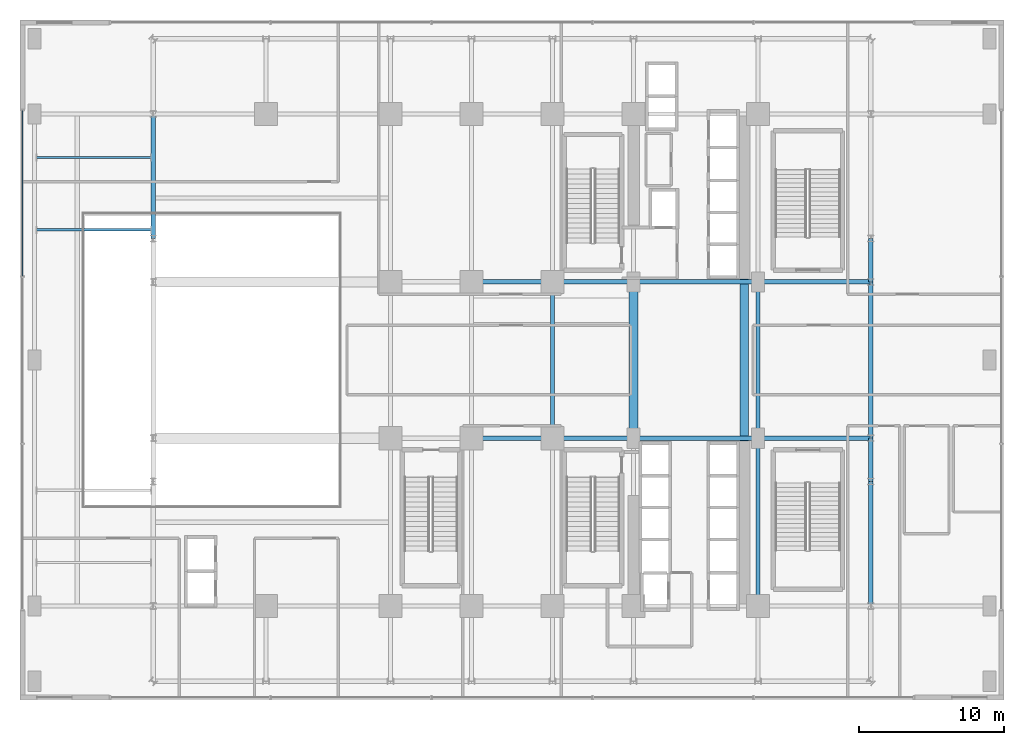
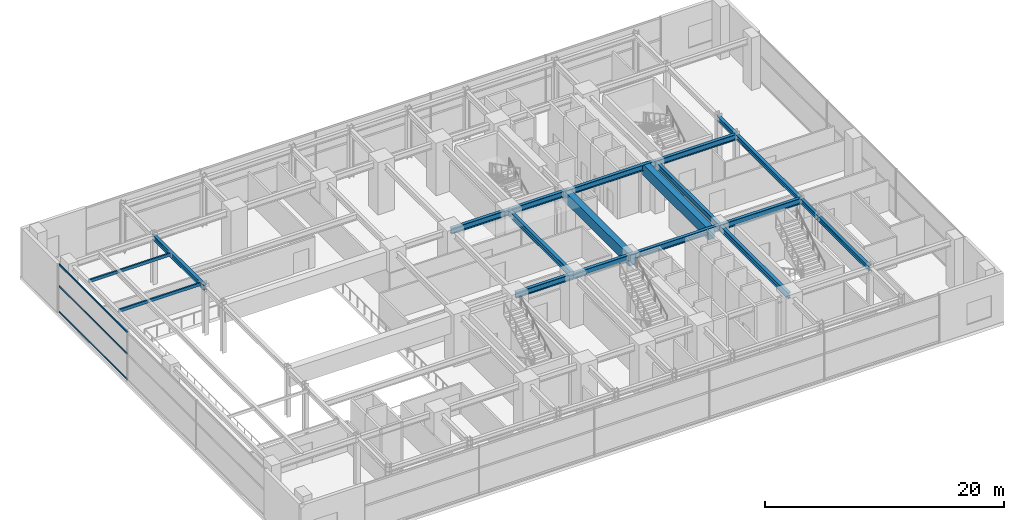
# One storey, part 15 of 35: 18 beams, 5 members, 1 element without a shape of its own.
"""IFC4 building model written with IfcOpenShell, lengths in metres."""

import ifcopenshell
import ifcopenshell.guid

model = None  # the IFC model being written
_history = None  # IfcOwnerHistory: only IFC2X3 demands one
_inside = {}  # id of a spatial element -> (the spatial element, [elements in it])
_under = {}  # id of a project, library or spatial element -> (it, [spatial elements below it])
_declared = {}  # id of a project -> (the project, [libraries it declares])
_typed = {}  # id of a type object -> (the type object, [elements of that type])
_made_of = {}  # id of a material, layer set ... -> (it, [elements and type objects made of it])


def new_model(schema):
    """Start an empty IFC model of exactly this schema.

    Asked for "IFC4X3", IfcOpenShell would pick the latest addendum, in which some entities
    have other attributes; the version numbers below select the first issue.
    IFC2X3 requires an IfcOwnerHistory on every rooted entity: one is made here for all.
    """
    global model, _history
    if schema == "IFC4X3":
        model = ifcopenshell.file(schema_version=(4, 3, 0, 0))
    else:
        model = ifcopenshell.file(schema=schema)
    _inside.clear()
    _under.clear()
    _declared.clear()
    _typed.clear()
    _made_of.clear()
    _history = None
    if model.schema == "IFC2X3":
        org = make("IfcOrganization", Name="unknown")
        user = make(
            "IfcPersonAndOrganization",
            ThePerson=make("IfcPerson", FamilyName="unknown"),
            TheOrganization=org,
        )
        app = make(
            "IfcApplication",
            ApplicationDeveloper=org,
            Version="unknown",
            ApplicationFullName="unknown",
            ApplicationIdentifier="unknown",
        )
        _history = make(
            "IfcOwnerHistory",
            OwningUser=user,
            OwningApplication=app,
            ChangeAction="ADDED",
            CreationDate=0,
        )
    return model


def make(cls, **values):
    """One entity of the class cls with the attributes given. An attribute that is None is left unset."""
    return model.create_entity(
        cls, **{name: value for name, value in values.items() if value is not None}
    )


def rooted(cls, **values):
    """An entity with a GlobalId (a new one), such as an element, a storey or a relation."""
    return make(cls, GlobalId=ifcopenshell.guid.new(), OwnerHistory=_history, **values)


def si_unit(unit_type, name, prefix=None):
    """IfcSIUnit, for example si_unit("LENGTHUNIT", "METRE", prefix="MILLI")."""
    return make("IfcSIUnit", UnitType=unit_type, Prefix=prefix, Name=name)


def assignment(units):
    """IfcUnitAssignment: the units of a project."""
    return None if units is None else make("IfcUnitAssignment", Units=units)


def point(xyz):
    """IfcCartesianPoint."""
    return None if xyz is None else make("IfcCartesianPoint", Coordinates=xyz)


def direction(xyz):
    """IfcDirection."""
    return None if xyz is None else make("IfcDirection", DirectionRatios=xyz)


def frame(location, z_axis=None, x_axis=None):
    """IfcAxis2Placement3D, a coordinate frame: its origin and axes. An axis left out is left unset."""
    return make(
        "IfcAxis2Placement3D",
        Location=point(location),
        Axis=direction(z_axis),
        RefDirection=direction(x_axis),
    )


def frame_2d(location, x_axis=None):
    """IfcAxis2Placement2D, a coordinate frame in the plane: its origin and x axis."""
    return make(
        "IfcAxis2Placement2D", Location=point(location), RefDirection=direction(x_axis)
    )


def origin():
    """The frame at (0, 0, 0) with its axes left unset."""
    return frame((0.0, 0.0, 0.0))


def origin_2d():
    """The frame at (0, 0) in the plane with its x axis left unset."""
    return frame_2d((0.0, 0.0))


def place(relative_to, where):
    """IfcLocalPlacement: puts the frame where relative to a parent placement (None: the world)."""
    return make(
        "IfcLocalPlacement", PlacementRelTo=relative_to, RelativePlacement=where
    )


def context(
    kind, dimensions, precision=None, world=None, true_north=None, identifier=None
):
    """IfcGeometricRepresentationContext, for example the 3D "Model" context."""
    return make(
        "IfcGeometricRepresentationContext",
        ContextIdentifier=identifier,
        ContextType=kind,
        CoordinateSpaceDimension=dimensions,
        Precision=precision,
        WorldCoordinateSystem=world,
        TrueNorth=true_north,
    )


def subcontext(parent, identifier, kind, view, scale=None):
    """IfcGeometricRepresentationSubContext, for example "Body" below "Model"."""
    return make(
        "IfcGeometricRepresentationSubContext",
        ContextIdentifier=identifier,
        ContextType=kind,
        ParentContext=parent,
        TargetScale=scale,
        TargetView=view,
    )


def project(units=None, contexts=None):
    """IfcProject with its units and contexts."""
    return rooted(
        "IfcProject",
        Name="project",
        RepresentationContexts=contexts,
        UnitsInContext=assignment(units),
    )


def spatial(cls, under=None, at=None, **own):
    """A site, building, storey or space (cls), placed at a placement, below another one or the project."""
    s = rooted(cls, ObjectPlacement=at, **own)
    if under is not None:
        _under.setdefault(under.id(), (under, []))[1].append(s)
    return s


def profile(cls, at=None, kind="AREA", **sizes):
    """A parametric profile (cls). Its sizes go by their IFC names, for example OverallWidth=200.0."""
    return make(cls, ProfileType=kind, Position=at, **sizes)


def rectangle(**sizes):
    """IfcRectangleProfileDef."""
    return profile("IfcRectangleProfileDef", **sizes)


def hollow_rectangle(**sizes):
    """IfcRectangleHollowProfileDef."""
    return profile("IfcRectangleHollowProfileDef", **sizes)


def i_section(**sizes):
    """IfcIShapeProfileDef."""
    return profile("IfcIShapeProfileDef", **sizes)


def extrude(swept, where, along, depth):
    """IfcExtrudedAreaSolid: the profile swept, set in the frame where, extruded along a direction by depth."""
    return make(
        "IfcExtrudedAreaSolid",
        SweptArea=swept,
        Position=where,
        ExtrudedDirection=direction(along),
        Depth=depth,
    )


def shape(context_of_items, identifier, shape_type, items):
    """IfcShapeRepresentation: the items that make up one representation, for example the "Body"."""
    return make(
        "IfcShapeRepresentation",
        ContextOfItems=context_of_items,
        RepresentationIdentifier=identifier,
        RepresentationType=shape_type,
        Items=items,
    )


def source(mapping_origin, context_of_items, identifier, shape_type, items):
    """IfcRepresentationMap: a shape defined once, which mapped items show again and again."""
    return make(
        "IfcRepresentationMap",
        MappingOrigin=mapping_origin,
        MappedRepresentation=shape(context_of_items, identifier, shape_type, items),
    )


def transform(
    local_origin,
    x_axis=None,
    y_axis=None,
    z_axis=None,
    scale=None,
    scale2=None,
    scale3=None,
    uniform=True,
):
    """IfcCartesianTransformationOperator3D, or its non-uniform kind. x_axis, y_axis, z_axis: its Axis1, 2, 3."""
    if uniform:
        return make(
            "IfcCartesianTransformationOperator3D",
            Axis1=direction(x_axis),
            Axis2=direction(y_axis),
            LocalOrigin=point(local_origin),
            Scale=scale,
            Axis3=direction(z_axis),
        )
    return make(
        "IfcCartesianTransformationOperator3DnonUniform",
        Axis1=direction(x_axis),
        Axis2=direction(y_axis),
        LocalOrigin=point(local_origin),
        Scale=scale,
        Axis3=direction(z_axis),
        Scale2=scale2,
        Scale3=scale3,
    )


def mapped(mapping_source, mapping_target):
    """IfcMappedItem: shows the shape of a source again, moved by a transform."""
    return make(
        "IfcMappedItem", MappingSource=mapping_source, MappingTarget=mapping_target
    )


def material(Name=None, Category=None):
    """IfcMaterial."""
    return make("IfcMaterial", Name=Name, Category=Category)


def material_profile(
    of_material, cross_section, Name=None, Category=None, Priority=None
):
    """IfcMaterialProfile: a cross section and its material."""
    return make(
        "IfcMaterialProfile",
        Name=Name,
        Material=of_material,
        Profile=cross_section,
        Priority=Priority,
        Category=Category,
    )


def profile_set(profiles, Name=None, composite=None):
    """IfcMaterialProfileSet."""
    return make(
        "IfcMaterialProfileSet",
        Name=Name,
        MaterialProfiles=profiles,
        CompositeProfile=composite,
    )


def made_of(thing, what):
    """Note that an element or type object is made of a material, layer set ...; save() writes the relation."""
    if what is not None:
        _made_of.setdefault(what.id(), (what, []))[1].append(thing)
    return thing


def type_object(cls, material=None, **own):
    """A type object (cls), such as IfcWallType, which elements share."""
    return made_of(rooted(cls, **own), material)


def element(
    cls,
    number,
    at=None,
    inside=None,
    cuts=None,
    type_object=None,
    material=None,
    context=None,
    identifier="Body",
    shape_type=None,
    held_by="IfcProductDefinitionShape",
    body=None,
    shapes=None,
    **own,
):
    """One element of the class cls, such as IfcWall. Its Tag is "e" and its number.

    at: its placement. inside: the storey or other place that contains it. cuts: it is an
    opening in that element (IfcRelVoidsElement). A single representation is given by context,
    identifier, shape_type and body (its items); several are given by shapes. held_by: the class
    of the entity that holds the representations. save() writes the other relations.
    """
    e = rooted(cls, Tag="e%d" % number, ObjectPlacement=at, **own)
    if body is not None:
        shapes = [shape(context, identifier, shape_type, body)]
    if shapes is not None:
        e.Representation = make(held_by, Representations=shapes)
    if inside is not None:
        _inside.setdefault(inside.id(), (inside, []))[1].append(e)
    if cuts is not None:
        rooted(
            "IfcRelVoidsElement", RelatingBuildingElement=cuts, RelatedOpeningElement=e
        )
    if type_object is not None:
        _typed.setdefault(type_object.id(), (type_object, []))[1].append(e)
    return made_of(e, material)


def aggregate(whole, parts):
    """IfcRelAggregates: a whole, such as a stair, and the parts it consists of."""
    return rooted("IfcRelAggregates", RelatingObject=whole, RelatedObjects=parts)


def save(model, path):
    """Write the relations noted so far, then the file.

    IfcRelAggregates (storeys below a building ...), IfcRelContainedInSpatialStructure (elements
    in a storey), IfcRelDefinesByType, IfcRelAssociatesMaterial and IfcRelDeclares: one each for
    every whole, place, type object, material and project.
    """
    for whole, parts in _under.values():
        aggregate(whole, parts)
    for where, things in _inside.values():
        rooted(
            "IfcRelContainedInSpatialStructure",
            RelatedElements=things,
            RelatingStructure=where,
        )
    for kind, things in _typed.values():
        rooted("IfcRelDefinesByType", RelatedObjects=things, RelatingType=kind)
    for what, things in _made_of.values():
        rooted("IfcRelAssociatesMaterial", RelatedObjects=things, RelatingMaterial=what)
    for by, libraries in _declared.values():
        rooted("IfcRelDeclares", RelatingContext=by, RelatedDefinitions=libraries)
    model.write(path)


model = new_model("IFC4")

# Units and contexts
model_context = context("Model", 3, precision=1e-05, world=origin(), true_north=direction((0.0, 1.0)))
body_context = subcontext(model_context, "Body", "Model", "MODEL_VIEW")
ifc_project = project(units=[si_unit("LENGTHUNIT", "METRE"), si_unit("AREAUNIT", "SQUARE_METRE"), si_unit("VOLUMEUNIT", "CUBIC_METRE"), si_unit("PLANEANGLEUNIT", "RADIAN"), si_unit("MASSUNIT", "GRAM", prefix="KILO")], contexts=[model_context])

# Site, building, storey
site_placement = place(None, origin())
site = spatial("IfcSite", under=ifc_project, at=site_placement, CompositionType="ELEMENT")
building_placement = place(site_placement, origin())
building = spatial("IfcBuilding", under=site, at=building_placement, Name="Nahalor Promenade Grand Hotel", CompositionType="ELEMENT")
storey_placement = place(building_placement, frame((0.0, 0.0, 21.60009765625)))
storey = spatial("IfcBuildingStorey", under=building, at=storey_placement, Name="L04", CompositionType="ELEMENT", Elevation=21.60009765625)

# Beams
ifc_material_1 = material(Name="Concrete B-60 (C50/60)", Category="concrete")
ifc_material_profile_1 = material_profile(ifc_material_1, rectangle(XDim=0.6, YDim=1.1, at=origin_2d()), Name="RC 600x1100")
ifc_profile_set_1 = profile_set([ifc_material_profile_1], Name="Concrete B-60 (C50/60)")
beam_type_1 = type_object("IfcBeamType", Name="Beam-Lintel-RC1100", PredefinedType="LINTEL", material=ifc_profile_set_1)
shared_shape_1 = source(origin(), body_context, "Body", "SweptSolid", [
    extrude(rectangle(XDim=0.6, YDim=1.1, at=origin_2d()), origin(), (0.0, 0.0, 1.0), 11.2001953125),
])
for number, where, z_axis, x_axis, name in (
    (1, (8.39990234375, -5.60009765625, 4.429931640625), (0.0, 1.0, 0.0), (-1.0, 0.0, 0.0), "BM-L04-LINT-W"),
    (2, (16.050048828125, -5.60009765625, 4.429931640625), (0.0, 1.0, 0.0), (-1.0, 0.0, 0.0), "BM-L04-LINT-E"),
):
    element("IfcBeam", number, at=place(storey_placement, frame(where, z_axis=z_axis, x_axis=x_axis)), inside=storey, type_object=beam_type_1, Name=name, PredefinedType="LINTEL", context=body_context, shape_type="MappedRepresentation", body=[
        mapped(shared_shape_1, transform((0.0, 0.0, 0.0), scale=1.0)),
    ])
ifc_material_2 = material(Name="Steel S355JR", Category="steel")
ifc_material_profile_2 = material_profile(ifc_material_2, i_section(OverallWidth=0.3, OverallDepth=0.6, WebThickness=0.0155, FlangeThickness=0.03, at=origin_2d()), Name="HEB 600")
ifc_profile_set_2 = profile_set([ifc_material_profile_2], Name="Steel S355JR")
beam_type_2 = type_object("IfcBeamType", Name="Beam-Girder-HEB600", PredefinedType="BEAM", material=ifc_profile_set_2)
shared_shape_2 = source(origin(), body_context, "Body", "SweptSolid", [
    extrude(i_section(OverallWidth=0.3, OverallDepth=0.6, WebThickness=0.0155, FlangeThickness=0.03, at=origin_2d()), origin(), (0.0, 0.0, 1.0), 7.800048828125),
])
for number, where, z_axis, x_axis, name in (
    (3, (17.0, -5.39990234375, 4.679931640625), (1.0, 0.0, 0.0), (0.0, 1.0, 0.0), "BM-L04-GX-1-6"),
    (4, (17.0, 5.39990234375, 4.679931640625), (1.0, 0.0, 0.0), (0.0, 1.0, 0.0), "BM-L04-GX-2-6"),
):
    element("IfcBeam", number, at=place(storey_placement, frame(where, z_axis=z_axis, x_axis=x_axis)), inside=storey, type_object=beam_type_2, Name=name, PredefinedType="BEAM", context=body_context, shape_type="MappedRepresentation", body=[
        mapped(shared_shape_2, transform((0.0, 0.0, 0.0), scale=1.0)),
    ])
shared_shape_3 = source(origin(), body_context, "Body", "SweptSolid", [
    extrude(i_section(OverallWidth=0.3, OverallDepth=0.6, WebThickness=0.0155, FlangeThickness=0.03, at=origin_2d()), origin(), (0.0, 0.0, 1.0), 8.60009765625),
])
for number, where, z_axis, x_axis, name in (
    (5, (8.39990234375, -5.39990234375, 4.679931640625), (1.0, 0.0, 0.0), (0.0, 1.0, 0.0), "BM-L04-GX-1-5"),
    (6, (8.39990234375, 5.39990234375, 4.679931640625), (1.0, 0.0, 0.0), (0.0, 1.0, 0.0), "BM-L04-GX-2-5"),
):
    element("IfcBeam", number, at=place(storey_placement, frame(where, z_axis=z_axis, x_axis=x_axis)), inside=storey, type_object=beam_type_2, Name=name, PredefinedType="BEAM", context=body_context, shape_type="MappedRepresentation", body=[
        mapped(shared_shape_3, transform((0.0, 0.0, 0.0), scale=1.0)),
    ])
shared_shape_4 = source(origin(), body_context, "Body", "SweptSolid", [
    extrude(i_section(OverallWidth=0.3, OverallDepth=0.6, WebThickness=0.0155, FlangeThickness=0.03, at=origin_2d()), origin(), (0.0, 0.0, 1.0), 5.599853515625),
])
for number, where, z_axis, x_axis, name in (
    (7, (2.800048828125, -5.39990234375, 4.679931640625), (1.0, 0.0, 0.0), (0.0, 1.0, 0.0), "BM-L04-GX-1-4"),
    (8, (2.800048828125, 5.39990234375, 4.679931640625), (1.0, 0.0, 0.0), (0.0, 1.0, 0.0), "BM-L04-GX-2-4"),
):
    element("IfcBeam", number, at=place(storey_placement, frame(where, z_axis=z_axis, x_axis=x_axis)), inside=storey, type_object=beam_type_2, Name=name, PredefinedType="BEAM", context=body_context, shape_type="MappedRepresentation", body=[
        mapped(shared_shape_4, transform((0.0, 0.0, 0.0), scale=1.0)),
    ])
shared_shape_5 = source(origin(), body_context, "Body", "SweptSolid", [
    extrude(i_section(OverallWidth=0.3, OverallDepth=0.6, WebThickness=0.0155, FlangeThickness=0.03, at=origin_2d()), origin(), (0.0, 0.0, 1.0), 5.60009765625),
])
for number, where, z_axis, x_axis, name in (
    (9, (-2.800048828125, -5.39990234375, 4.679931640625), (1.0, 0.0, 0.0), (0.0, 1.0, 0.0), "BM-L04-GX-1-3"),
    (10, (-2.800048828125, 5.39990234375, 4.679931640625), (1.0, 0.0, 0.0), (0.0, 1.0, 0.0), "BM-L04-GX-2-3"),
):
    element("IfcBeam", number, at=place(storey_placement, frame(where, z_axis=z_axis, x_axis=x_axis)), inside=storey, type_object=beam_type_2, Name=name, PredefinedType="BEAM", context=body_context, shape_type="MappedRepresentation", body=[
        mapped(shared_shape_5, transform((0.0, 0.0, 0.0), scale=1.0)),
    ])
shared_shape_6 = source(origin(), body_context, "Body", "SweptSolid", [
    extrude(i_section(OverallWidth=0.3, OverallDepth=0.6, WebThickness=0.0155, FlangeThickness=0.03, at=origin_2d()), origin(), (0.0, 0.0, 1.0), 11.60009765625),
])
beam_1_placement = place(storey_placement, frame((17.0, -17.0, 4.679931640625), z_axis=(0.0, 1.0, 0.0), x_axis=(-1.0, 0.0, 0.0)))
element("IfcBeam", 11, at=beam_1_placement, inside=storey, type_object=beam_type_2, Name="BM-L04-GY-5-1", PredefinedType="BEAM", context=body_context, shape_type="MappedRepresentation", body=[
    mapped(shared_shape_6, transform((0.0, 0.0, 0.0), scale=1.0)),
])
shared_shape_7 = source(origin(), body_context, "Body", "SweptSolid", [
    extrude(i_section(OverallWidth=0.3, OverallDepth=0.6, WebThickness=0.0155, FlangeThickness=0.03, at=origin_2d()), origin(), (0.0, 0.0, 1.0), 10.7998046875),
])
for number, where, z_axis, x_axis, name in (
    (12, (2.800048828125, -5.39990234375, 4.679931640625), (0.0, 1.0, 0.0), (-1.0, 0.0, 0.0), "BM-L04-GY-3-2"),
    (13, (17.0, -5.39990234375, 4.679931640625), (0.0, 1.0, 0.0), (-1.0, 0.0, 0.0), "BM-L04-GY-5-2"),
):
    element("IfcBeam", number, at=place(storey_placement, frame(where, z_axis=z_axis, x_axis=x_axis)), inside=storey, type_object=beam_type_2, Name=name, PredefinedType="BEAM", context=body_context, shape_type="MappedRepresentation", body=[
        mapped(shared_shape_7, transform((0.0, 0.0, 0.0), scale=1.0)),
    ])
ifc_material_profile_3 = material_profile(ifc_material_2, i_section(OverallWidth=0.3, OverallDepth=0.5, WebThickness=0.0145, FlangeThickness=0.028, at=origin_2d()), Name="HEB 500")
ifc_profile_set_3 = profile_set([ifc_material_profile_3], Name="Steel S355JR")
beam_type_3 = type_object("IfcBeamType", Name="Beam-Spandrel-HEB500", PredefinedType="SPANDREL", material=ifc_profile_set_3)
shared_shape_8 = source(origin(), body_context, "Body", "SweptSolid", [
    extrude(i_section(OverallWidth=0.3, OverallDepth=0.5, WebThickness=0.0145, FlangeThickness=0.028, at=origin_2d()), origin(), (0.0, 0.0, 1.0), 8.60009765625),
])
for number, where, z_axis, x_axis, name in (
    (14, (-24.800048828125, 8.39990234375, 4.72998046875), (0.0, 1.0, 0.0), (-1.0, 0.0, 0.0), "BM-L04-SP-W-4"),
    (15, (24.800048828125, -17.0, 4.72998046875), (0.0, 1.0, 0.0), (-1.0, 0.0, 0.0), "BM-L04-SP-E-0"),
):
    element("IfcBeam", number, at=place(storey_placement, frame(where, z_axis=z_axis, x_axis=x_axis)), inside=storey, type_object=beam_type_3, Name=name, PredefinedType="SPANDREL", context=body_context, shape_type="MappedRepresentation", body=[
        mapped(shared_shape_8, transform((0.0, 0.0, 0.0), scale=1.0)),
    ])
shared_shape_9 = source(origin(), body_context, "Body", "SweptSolid", [
    extrude(i_section(OverallWidth=0.3, OverallDepth=0.5, WebThickness=0.0145, FlangeThickness=0.028, at=origin_2d()), origin(), (0.0, 0.0, 1.0), 3.0),
])
for number, where, z_axis, x_axis, name in (
    (16, (24.800048828125, -8.39990234375, 4.72998046875), (0.0, 1.0, 0.0), (-1.0, 0.0, 0.0), "BM-L04-SP-E-1"),
    (17, (24.800048828125, 5.39990234375, 4.72998046875), (0.0, 1.0, 0.0), (-1.0, 0.0, 0.0), "BM-L04-SP-E-3"),
):
    element("IfcBeam", number, at=place(storey_placement, frame(where, z_axis=z_axis, x_axis=x_axis)), inside=storey, type_object=beam_type_3, Name=name, PredefinedType="SPANDREL", context=body_context, shape_type="MappedRepresentation", body=[
        mapped(shared_shape_9, transform((0.0, 0.0, 0.0), scale=1.0)),
    ])
shared_shape_10 = source(origin(), body_context, "Body", "SweptSolid", [
    extrude(i_section(OverallWidth=0.3, OverallDepth=0.5, WebThickness=0.0145, FlangeThickness=0.028, at=origin_2d()), origin(), (0.0, 0.0, 1.0), 10.7998046875),
])
beam_2_placement = place(storey_placement, frame((24.800048828125, -5.39990234375, 4.72998046875), z_axis=(0.0, 1.0, 0.0), x_axis=(-1.0, 0.0, 0.0)))
element("IfcBeam", 18, at=beam_2_placement, inside=storey, type_object=beam_type_3, Name="BM-L04-SP-E-2", PredefinedType="SPANDREL", context=body_context, shape_type="MappedRepresentation", body=[
    mapped(shared_shape_10, transform((0.0, 0.0, 0.0), scale=1.0)),
])

# Members
ifc_material_profile_4 = material_profile(ifc_material_2, hollow_rectangle(XDim=0.15, YDim=0.3, WallThickness=0.012, at=origin_2d()), Name="RHS 300x150x12")
ifc_profile_set_4 = profile_set([ifc_material_profile_4], Name="Steel S355JR")
member_type_1 = type_object("IfcMemberType", Name="Mem-CanopyPurlin-RHS300", PredefinedType="PURLIN", material=ifc_profile_set_4)
shared_shape_11 = source(origin(), body_context, "Body", "SweptSolid", [
    extrude(hollow_rectangle(XDim=0.15, YDim=0.3, WallThickness=0.012, at=origin_2d()), origin(), (0.0, 0.0, 1.0), 7.900146484375),
])
for number, where, z_axis, x_axis, name in (
    (19, (-32.85009765625, 9.0, 4.81982421875), (1.0, 0.0, 0.0), (0.0, 1.0, 0.0), "L04-PURL-B2"),
    (20, (-32.85009765625, 14.0, 4.81982421875), (1.0, 0.0, 0.0), (0.0, 1.0, 0.0), "L04-PURL-B3"),
):
    element("IfcMember", number, at=place(storey_placement, frame(where, z_axis=z_axis, x_axis=x_axis)), inside=storey, type_object=member_type_1, Name=name, PredefinedType="PURLIN", context=body_context, shape_type="MappedRepresentation", body=[
        mapped(shared_shape_11, transform((0.0, 0.0, 0.0), scale=1.0)),
    ])

# Curtain wall, members
ifc_material_3 = material(Name="Anodised Bronze Aluminium EN AW-6063 T6", Category="aluminium")
curtain_wall_type = type_object("IfcCurtainWallType", Name="CW1 Waterfront Podium Bronze Arcade Curtain Wall", PredefinedType="USERDEFINED", material=ifc_material_3)
curtain_wall_placement = place(storey_placement, origin())
curtain_wall = element("IfcCurtainWall", 21, at=curtain_wall_placement, inside=storey, type_object=curtain_wall_type, Name="L04 Curtain Wall CW-L04-W", ObjectType="UNITISED_CURTAIN_WALL", PredefinedType="USERDEFINED")
ifc_material_profile_5 = material_profile(ifc_material_3, hollow_rectangle(XDim=0.08, YDim=0.16, WallThickness=0.004, at=origin_2d()), Name="CWT 80x160x4")
ifc_profile_set_5 = profile_set([ifc_material_profile_5], Name="Anodised Bronze Aluminium EN AW-6063 T6")
member_type_2 = type_object("IfcMemberType", Name="CWT1 Podium Bronze Transom 80x160", PredefinedType="USERDEFINED", material=ifc_profile_set_5)
shared_shape_12 = source(origin(), body_context, "Body", "SweptSolid", [
    extrude(hollow_rectangle(XDim=0.08, YDim=0.16, WallThickness=0.004, at=origin_2d()), origin(), (0.0, 0.0, 1.0), 11.4267578125),
])
member_1_placement = place(storey_placement, frame((-33.820068359375, 5.813232421875, 0.079833984375), z_axis=(0.0, 1.0, 0.0), x_axis=(-1.0, 0.0, 0.0)))
member_1 = element("IfcMember", 22, at=member_1_placement, type_object=member_type_2, Name="CW-L04-W Transom 2-0", ObjectType="TRANSOM", PredefinedType="USERDEFINED", context=body_context, shape_type="MappedRepresentation", body=[
    mapped(shared_shape_12, transform((0.0, 0.0, 0.0), scale=1.0)),
])
member_2_placement = place(storey_placement, frame((-33.820068359375, 5.813232421875, 2.699951171875), z_axis=(0.0, 1.0, 0.0), x_axis=(-1.0, 0.0, 0.0)))
member_2 = element("IfcMember", 23, at=member_2_placement, type_object=member_type_2, Name="CW-L04-W Transom 2-1", ObjectType="TRANSOM", PredefinedType="USERDEFINED", context=body_context, shape_type="MappedRepresentation", body=[
    mapped(shared_shape_12, transform((0.0, 0.0, 0.0), scale=1.0)),
])
member_3_placement = place(storey_placement, frame((-33.820068359375, 5.813232421875, 4.89990234375), z_axis=(0.0, 1.0, 0.0), x_axis=(-1.0, 0.0, 0.0)))
member_3 = element("IfcMember", 24, at=member_3_placement, type_object=member_type_2, Name="CW-L04-W Transom 2-2", ObjectType="TRANSOM", PredefinedType="USERDEFINED", context=body_context, shape_type="MappedRepresentation", body=[
    mapped(shared_shape_12, transform((0.0, 0.0, 0.0), scale=1.0)),
])
aggregate(curtain_wall, [member_1, member_2, member_3])

save(model, "model.ifc")
